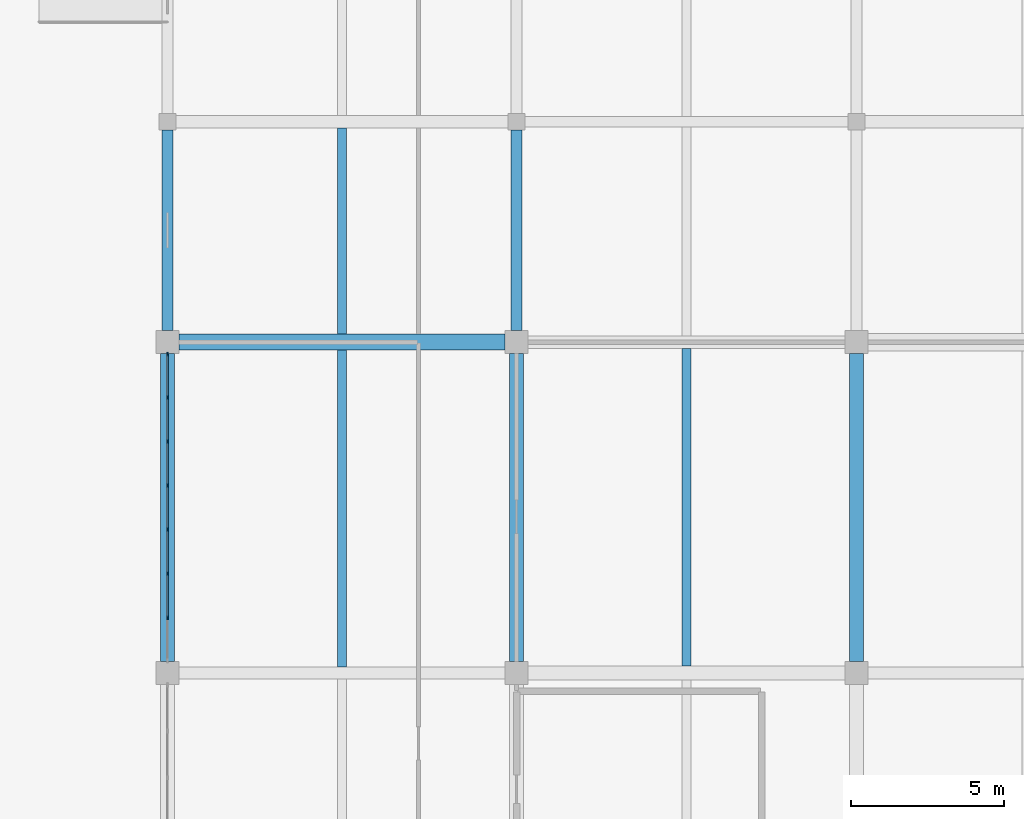
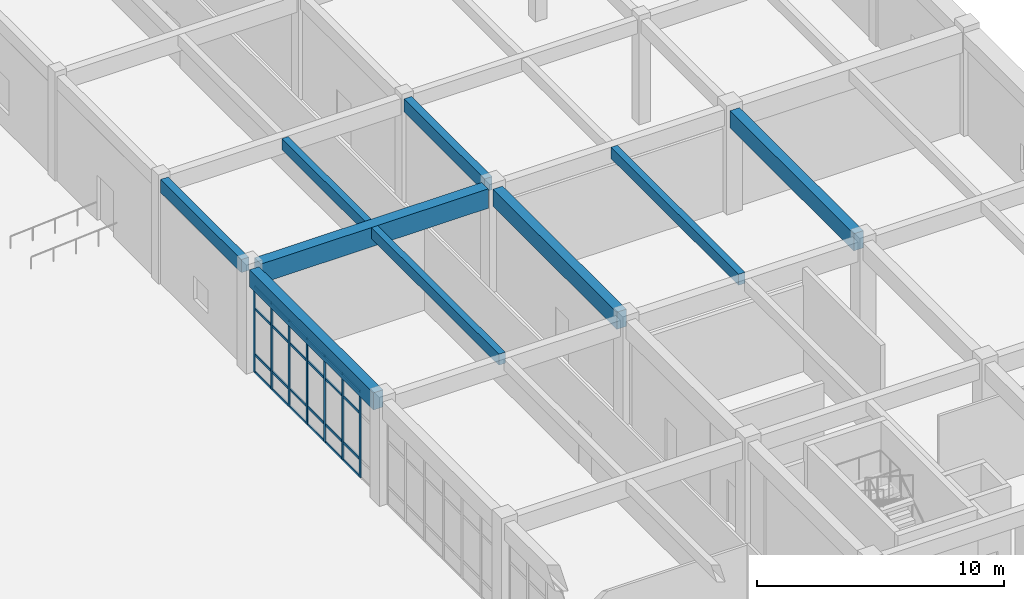
# One storey, part 32 of 70: 31 members, 9 beams, 1 element without a shape of its own.
"""IFC4 building model written with IfcOpenShell, lengths in metres."""

from ifc_helpers import new_model, si_unit, direction, frame, origin, origin_2d, place, context, subcontext, project, spatial, rectangle, extrude, material, layer, layer_set, material_profile, profile_set, type_object, element, aggregate, save


model = new_model("IFC4")

# Units and contexts
model_context = context("Model", 3, precision=1e-05, world=origin(), true_north=direction((0.0, 1.0)))
body_context = subcontext(model_context, "Body", "Model", "MODEL_VIEW")
ifc_project = project(units=[si_unit("LENGTHUNIT", "METRE"), si_unit("AREAUNIT", "SQUARE_METRE"), si_unit("VOLUMEUNIT", "CUBIC_METRE"), si_unit("PLANEANGLEUNIT", "RADIAN"), si_unit("MASSUNIT", "GRAM", prefix="KILO")], contexts=[model_context])

# Site, building, storey
site_placement = place(None, origin())
site = spatial("IfcSite", under=ifc_project, at=site_placement, CompositionType="ELEMENT")
building_placement = place(site_placement, origin())
building = spatial("IfcBuilding", under=site, at=building_placement, Name="Miralva Faculty of Natural Sciences", CompositionType="ELEMENT")
storey_placement = place(building_placement, origin())
storey = spatial("IfcBuildingStorey", under=building, at=storey_placement, Name="L00", CompositionType="ELEMENT", Elevation=0.0)

# Beams
ifc_material_1 = material(Name="Concrete C40/50", Category="concrete")
ifc_material_profile_1 = material_profile(ifc_material_1, rectangle(XDim=0.449951171875, YDim=0.85009765625, at=origin_2d()), Name="RC 450x850")
ifc_profile_set_1 = profile_set([ifc_material_profile_1], Name="Concrete C40/50")
beam_type_1 = type_object("IfcBeamType", Name="BM-B01", PredefinedType="BEAM", material=ifc_profile_set_1)
for number, where, z_axis, x_axis, name in (
    (1, (133.800048828125, 65.77490234375, 4.695068359375), (0.0, 1.0, 0.0), (-1.0, 0.0, 0.0), "Girder NS L00-181"),
    (2, (145.199951171875, 65.77490234375, 4.695068359375), (0.0, 1.0, 0.0), (-1.0, 0.0, 0.0), "Girder NS L00-193"),
    (3, (156.300048828125, 65.77490234375, 4.695068359375), (0.0, 1.0, 0.0), (-1.0, 0.0, 0.0), "Girder NS L00-205"),
):
    element("IfcBeam", number, at=place(storey_placement, frame(where, z_axis=z_axis, x_axis=x_axis)), inside=storey, type_object=beam_type_1, Name=name, PredefinedType="BEAM", context=body_context, shape_type="SweptSolid", body=[
        extrude(rectangle(XDim=0.449951171875, YDim=0.85009765625, at=origin_2d()), origin(), (0.0, 0.0, 1.0), 10.050048828125),
    ])
ifc_material_profile_2 = material_profile(ifc_material_1, rectangle(XDim=0.35009765625, YDim=0.64990234375, at=origin_2d()), Name="RC 350x650")
ifc_profile_set_2 = profile_set([ifc_material_profile_2], Name="Concrete C40/50")
beam_type_2 = type_object("IfcBeamType", Name="BM-B05", PredefinedType="BEAM", material=ifc_profile_set_2)
for number, where, z_axis, x_axis, name in (
    (4, (133.800048828125, 76.574951171875, 4.824951171875), (0.0, 1.0, 0.0), (-1.0, 0.0, 0.0), "Girder NS L00-182"),
    (5, (145.199951171875, 76.574951171875, 4.824951171875), (0.0, 1.0, 0.0), (-1.0, 0.0, 0.0), "Girder NS L00-194"),
):
    element("IfcBeam", number, at=place(storey_placement, frame(where, z_axis=z_axis, x_axis=x_axis)), inside=storey, type_object=beam_type_2, Name=name, PredefinedType="BEAM", context=body_context, shape_type="SweptSolid", body=[
        extrude(rectangle(XDim=0.35009765625, YDim=0.64990234375, at=origin_2d()), origin(), (0.0, 0.0, 1.0), 6.550048828125),
    ])
ifc_material_profile_3 = material_profile(ifc_material_1, rectangle(XDim=0.52001953125, YDim=0.9599609375, at=origin_2d()), Name="RC 520x960")
ifc_profile_set_3 = profile_set([ifc_material_profile_3], Name="Concrete C40/50")
beam_type_3 = type_object("IfcBeamType", Name="BM-BG20", PredefinedType="BEAM", material=ifc_profile_set_3)
beam_1_placement = place(storey_placement, frame((134.175048828125, 76.199951171875, 4.639892578125), z_axis=(1.0, 0.0, 0.0), x_axis=(0.0, 1.0, 0.0)))
element("IfcBeam", 6, at=beam_1_placement, inside=storey, type_object=beam_type_3, Name="Girder EW L00-63", PredefinedType="BEAM", context=body_context, shape_type="SweptSolid", body=[
    extrude(rectangle(XDim=0.52001953125, YDim=0.9599609375, at=origin_2d()), origin(), (0.0, 0.0, 1.0), 10.64990234375),
])
ifc_material_profile_4 = material_profile(ifc_material_1, rectangle(XDim=0.300048828125, YDim=0.550048828125, at=origin_2d()), Name="RC 300x550")
ifc_profile_set_4 = profile_set([ifc_material_profile_4], Name="Concrete C40/50")
beam_type_4 = type_object("IfcBeamType", Name="BM-J02", PredefinedType="JOIST", material=ifc_profile_set_4)
beam_2_placement = place(storey_placement, frame((139.5, 65.60009765625, 4.844970703125), z_axis=(0.0, 1.0, 0.0), x_axis=(-1.0, 0.0, 0.0)))
element("IfcBeam", 7, at=beam_2_placement, inside=storey, type_object=beam_type_4, Name="Floor joist L00-23", PredefinedType="JOIST", context=body_context, shape_type="SweptSolid", body=[
    extrude(rectangle(XDim=0.300048828125, YDim=0.550048828125, at=origin_2d()), origin(), (0.0, 0.0, 1.0), 10.33984375),
])
beam_3_placement = place(storey_placement, frame((150.75, 65.6298828125, 4.844970703125), z_axis=(0.0, 1.0, 0.0), x_axis=(-1.0, 0.0, 0.0)))
element("IfcBeam", 8, at=beam_3_placement, inside=storey, type_object=beam_type_4, Name="Floor joist L00-24", PredefinedType="JOIST", context=body_context, shape_type="SweptSolid", body=[
    extrude(rectangle(XDim=0.300048828125, YDim=0.550048828125, at=origin_2d()), origin(), (0.0, 0.0, 1.0), 10.3701171875),
])
beam_4_placement = place(storey_placement, frame((139.5, 76.4599609375, 4.844970703125), z_axis=(0.0, 1.0, 0.0), x_axis=(-1.0, 0.0, 0.0)))
element("IfcBeam", 9, at=beam_4_placement, inside=storey, type_object=beam_type_4, Name="Floor joist L00-28", PredefinedType="JOIST", context=body_context, shape_type="SweptSolid", body=[
    extrude(rectangle(XDim=0.300048828125, YDim=0.550048828125, at=origin_2d()), origin(), (0.0, 0.0, 1.0), 6.739990234375),
])

# Curtain wall, members
ifc_material_2 = material(Name="Laminated solar-control glass", Category="glass")
ifc_layer = layer(ifc_material_2, 0.179931640625, Name="CW-COM-L00")
ifc_layer_set = layer_set([ifc_layer], Name="Laminated solar-control glass")
curtain_wall_type = type_object("IfcCurtainWallType", Name="CW-COM-L00", PredefinedType="USERDEFINED", material=ifc_layer_set)
curtain_wall_placement = place(storey_placement, origin())
curtain_wall = element("IfcCurtainWall", 10, at=curtain_wall_placement, inside=storey, type_object=curtain_wall_type, Name="Curtain wall CW-09 L00-260", ObjectType="UNITISED CURTAIN WALL", PredefinedType="USERDEFINED")
ifc_material_3 = material(Name="Anodised aluminium", Category="aluminium")
ifc_material_profile_5 = material_profile(ifc_material_3, rectangle(XDim=0.06005859375, YDim=0.139892578125, at=origin_2d()), Name="MULLION 60x140")
ifc_profile_set_5 = profile_set([ifc_material_profile_5], Name="Anodised aluminium")
member_type_1 = type_object("IfcMemberType", Name="CW-M03", PredefinedType="MULLION", material=ifc_profile_set_5)
member_1_placement = place(storey_placement, frame((133.800048828125, 67.20361328125, 0.0), z_axis=(0.0, 0.0, 1.0), x_axis=(-1.0, 0.0, 0.0)))
member_1 = element("IfcMember", 11, at=member_1_placement, type_object=member_type_1, Name="CW-09 mullion 2", PredefinedType="MULLION", context=body_context, shape_type="SweptSolid", body=[
    extrude(rectangle(XDim=0.06005859375, YDim=0.139892578125, at=origin_2d()), origin(), (0.0, 0.0, 1.0), 4.264892578125),
])
member_2_placement = place(storey_placement, frame((133.800048828125, 68.64208984375, 0.0), z_axis=(0.0, 0.0, 1.0), x_axis=(-1.0, 0.0, 0.0)))
member_2 = element("IfcMember", 12, at=member_2_placement, type_object=member_type_1, Name="CW-09 mullion 3", PredefinedType="MULLION", context=body_context, shape_type="SweptSolid", body=[
    extrude(rectangle(XDim=0.06005859375, YDim=0.139892578125, at=origin_2d()), origin(), (0.0, 0.0, 1.0), 4.264892578125),
])
member_3_placement = place(storey_placement, frame((133.800048828125, 70.080810546875, 0.0), z_axis=(0.0, 0.0, 1.0), x_axis=(-1.0, 0.0, 0.0)))
member_3 = element("IfcMember", 13, at=member_3_placement, type_object=member_type_1, Name="CW-09 mullion 4", PredefinedType="MULLION", context=body_context, shape_type="SweptSolid", body=[
    extrude(rectangle(XDim=0.06005859375, YDim=0.139892578125, at=origin_2d()), origin(), (0.0, 0.0, 1.0), 4.264892578125),
])
member_4_placement = place(storey_placement, frame((133.800048828125, 71.519287109375, 0.0), z_axis=(0.0, 0.0, 1.0), x_axis=(-1.0, 0.0, 0.0)))
member_4 = element("IfcMember", 14, at=member_4_placement, type_object=member_type_1, Name="CW-09 mullion 5", PredefinedType="MULLION", context=body_context, shape_type="SweptSolid", body=[
    extrude(rectangle(XDim=0.06005859375, YDim=0.139892578125, at=origin_2d()), origin(), (0.0, 0.0, 1.0), 4.264892578125),
])
member_5_placement = place(storey_placement, frame((133.800048828125, 72.957763671875, 0.0), z_axis=(0.0, 0.0, 1.0), x_axis=(-1.0, 0.0, 0.0)))
member_5 = element("IfcMember", 15, at=member_5_placement, type_object=member_type_1, Name="CW-09 mullion 6", PredefinedType="MULLION", context=body_context, shape_type="SweptSolid", body=[
    extrude(rectangle(XDim=0.06005859375, YDim=0.139892578125, at=origin_2d()), origin(), (0.0, 0.0, 1.0), 4.264892578125),
])
member_6_placement = place(storey_placement, frame((133.800048828125, 74.396484375, 0.0), z_axis=(0.0, 0.0, 1.0), x_axis=(-1.0, 0.0, 0.0)))
member_6 = element("IfcMember", 16, at=member_6_placement, type_object=member_type_1, Name="CW-09 mullion 7", PredefinedType="MULLION", context=body_context, shape_type="SweptSolid", body=[
    extrude(rectangle(XDim=0.06005859375, YDim=0.139892578125, at=origin_2d()), origin(), (0.0, 0.0, 1.0), 4.264892578125),
])
member_7_placement = place(storey_placement, frame((133.800048828125, 75.804931640625, 0.0), z_axis=(0.0, 0.0, 1.0), x_axis=(-1.0, 0.0, 0.0)))
member_7 = element("IfcMember", 17, at=member_7_placement, type_object=member_type_1, Name="CW-09 mullion 8", PredefinedType="MULLION", context=body_context, shape_type="SweptSolid", body=[
    extrude(rectangle(XDim=0.06005859375, YDim=0.139892578125, at=origin_2d()), origin(), (0.0, 0.0, 1.0), 4.264892578125),
])
ifc_material_profile_6 = material_profile(ifc_material_3, rectangle(XDim=0.06005859375, YDim=0.1201171875, at=origin_2d()), Name="TRANSOM 60x120")
ifc_profile_set_6 = profile_set([ifc_material_profile_6], Name="Anodised aluminium")
member_type_2 = type_object("IfcMemberType", Name="CW-T02", PredefinedType="USERDEFINED", material=ifc_profile_set_6)
member_8_placement = place(storey_placement, frame((133.800048828125, 67.233642578125, 0.030029296875), z_axis=(0.0, 1.0, 0.0), x_axis=(-1.0, 0.0, 0.0)))
member_8 = element("IfcMember", 18, at=member_8_placement, type_object=member_type_2, Name="CW-09 transom 2.1", ObjectType="TRANSOM", PredefinedType="USERDEFINED", context=body_context, shape_type="SweptSolid", body=[
    extrude(rectangle(XDim=0.06005859375, YDim=0.1201171875, at=origin_2d()), origin(), (0.0, 0.0, 1.0), 1.37841796875),
])
member_9_placement = place(storey_placement, frame((133.800048828125, 67.233642578125, 0.89990234375), z_axis=(0.0, 1.0, 0.0), x_axis=(-1.0, 0.0, 0.0)))
member_9 = element("IfcMember", 19, at=member_9_placement, type_object=member_type_2, Name="CW-09 transom 2.2", ObjectType="TRANSOM", PredefinedType="USERDEFINED", context=body_context, shape_type="SweptSolid", body=[
    extrude(rectangle(XDim=0.06005859375, YDim=0.1201171875, at=origin_2d()), origin(), (0.0, 0.0, 1.0), 1.37841796875),
])
member_10_placement = place(storey_placement, frame((133.800048828125, 67.233642578125, 3.1650390625), z_axis=(0.0, 1.0, 0.0), x_axis=(-1.0, 0.0, 0.0)))
member_10 = element("IfcMember", 20, at=member_10_placement, type_object=member_type_2, Name="CW-09 transom 2.3", ObjectType="TRANSOM", PredefinedType="USERDEFINED", context=body_context, shape_type="SweptSolid", body=[
    extrude(rectangle(XDim=0.06005859375, YDim=0.1201171875, at=origin_2d()), origin(), (0.0, 0.0, 1.0), 1.37841796875),
])
member_11_placement = place(storey_placement, frame((133.800048828125, 67.233642578125, 4.235107421875), z_axis=(0.0, 1.0, 0.0), x_axis=(-1.0, 0.0, 0.0)))
member_11 = element("IfcMember", 21, at=member_11_placement, type_object=member_type_2, Name="CW-09 transom 2.4", ObjectType="TRANSOM", PredefinedType="USERDEFINED", context=body_context, shape_type="SweptSolid", body=[
    extrude(rectangle(XDim=0.06005859375, YDim=0.1201171875, at=origin_2d()), origin(), (0.0, 0.0, 1.0), 1.37841796875),
])
member_12_placement = place(storey_placement, frame((133.800048828125, 68.672119140625, 0.030029296875), z_axis=(0.0, 1.0, 0.0), x_axis=(-1.0, 0.0, 0.0)))
member_12 = element("IfcMember", 22, at=member_12_placement, type_object=member_type_2, Name="CW-09 transom 3.1", ObjectType="TRANSOM", PredefinedType="USERDEFINED", context=body_context, shape_type="SweptSolid", body=[
    extrude(rectangle(XDim=0.06005859375, YDim=0.1201171875, at=origin_2d()), origin(), (0.0, 0.0, 1.0), 1.378662109375),
])
member_13_placement = place(storey_placement, frame((133.800048828125, 68.672119140625, 0.89990234375), z_axis=(0.0, 1.0, 0.0), x_axis=(-1.0, 0.0, 0.0)))
member_13 = element("IfcMember", 23, at=member_13_placement, type_object=member_type_2, Name="CW-09 transom 3.2", ObjectType="TRANSOM", PredefinedType="USERDEFINED", context=body_context, shape_type="SweptSolid", body=[
    extrude(rectangle(XDim=0.06005859375, YDim=0.1201171875, at=origin_2d()), origin(), (0.0, 0.0, 1.0), 1.378662109375),
])
member_14_placement = place(storey_placement, frame((133.800048828125, 68.672119140625, 3.1650390625), z_axis=(0.0, 1.0, 0.0), x_axis=(-1.0, 0.0, 0.0)))
member_14 = element("IfcMember", 24, at=member_14_placement, type_object=member_type_2, Name="CW-09 transom 3.3", ObjectType="TRANSOM", PredefinedType="USERDEFINED", context=body_context, shape_type="SweptSolid", body=[
    extrude(rectangle(XDim=0.06005859375, YDim=0.1201171875, at=origin_2d()), origin(), (0.0, 0.0, 1.0), 1.378662109375),
])
member_15_placement = place(storey_placement, frame((133.800048828125, 68.672119140625, 4.235107421875), z_axis=(0.0, 1.0, 0.0), x_axis=(-1.0, 0.0, 0.0)))
member_15 = element("IfcMember", 25, at=member_15_placement, type_object=member_type_2, Name="CW-09 transom 3.4", ObjectType="TRANSOM", PredefinedType="USERDEFINED", context=body_context, shape_type="SweptSolid", body=[
    extrude(rectangle(XDim=0.06005859375, YDim=0.1201171875, at=origin_2d()), origin(), (0.0, 0.0, 1.0), 1.378662109375),
])
member_16_placement = place(storey_placement, frame((133.800048828125, 70.110595703125, 0.030029296875), z_axis=(0.0, 1.0, 0.0), x_axis=(-1.0, 0.0, 0.0)))
member_16 = element("IfcMember", 26, at=member_16_placement, type_object=member_type_2, Name="CW-09 transom 4.1", ObjectType="TRANSOM", PredefinedType="USERDEFINED", context=body_context, shape_type="SweptSolid", body=[
    extrude(rectangle(XDim=0.06005859375, YDim=0.1201171875, at=origin_2d()), origin(), (0.0, 0.0, 1.0), 1.378662109375),
])
member_17_placement = place(storey_placement, frame((133.800048828125, 70.110595703125, 0.89990234375), z_axis=(0.0, 1.0, 0.0), x_axis=(-1.0, 0.0, 0.0)))
member_17 = element("IfcMember", 27, at=member_17_placement, type_object=member_type_2, Name="CW-09 transom 4.2", ObjectType="TRANSOM", PredefinedType="USERDEFINED", context=body_context, shape_type="SweptSolid", body=[
    extrude(rectangle(XDim=0.06005859375, YDim=0.1201171875, at=origin_2d()), origin(), (0.0, 0.0, 1.0), 1.378662109375),
])
member_18_placement = place(storey_placement, frame((133.800048828125, 70.110595703125, 3.1650390625), z_axis=(0.0, 1.0, 0.0), x_axis=(-1.0, 0.0, 0.0)))
member_18 = element("IfcMember", 28, at=member_18_placement, type_object=member_type_2, Name="CW-09 transom 4.3", ObjectType="TRANSOM", PredefinedType="USERDEFINED", context=body_context, shape_type="SweptSolid", body=[
    extrude(rectangle(XDim=0.06005859375, YDim=0.1201171875, at=origin_2d()), origin(), (0.0, 0.0, 1.0), 1.378662109375),
])
member_19_placement = place(storey_placement, frame((133.800048828125, 70.110595703125, 4.235107421875), z_axis=(0.0, 1.0, 0.0), x_axis=(-1.0, 0.0, 0.0)))
member_19 = element("IfcMember", 29, at=member_19_placement, type_object=member_type_2, Name="CW-09 transom 4.4", ObjectType="TRANSOM", PredefinedType="USERDEFINED", context=body_context, shape_type="SweptSolid", body=[
    extrude(rectangle(XDim=0.06005859375, YDim=0.1201171875, at=origin_2d()), origin(), (0.0, 0.0, 1.0), 1.378662109375),
])
member_20_placement = place(storey_placement, frame((133.800048828125, 71.54931640625, 0.030029296875), z_axis=(0.0, 1.0, 0.0), x_axis=(-1.0, 0.0, 0.0)))
member_20 = element("IfcMember", 30, at=member_20_placement, type_object=member_type_2, Name="CW-09 transom 5.1", ObjectType="TRANSOM", PredefinedType="USERDEFINED", context=body_context, shape_type="SweptSolid", body=[
    extrude(rectangle(XDim=0.06005859375, YDim=0.1201171875, at=origin_2d()), origin(), (0.0, 0.0, 1.0), 1.378662109375),
])
member_21_placement = place(storey_placement, frame((133.800048828125, 71.54931640625, 0.89990234375), z_axis=(0.0, 1.0, 0.0), x_axis=(-1.0, 0.0, 0.0)))
member_21 = element("IfcMember", 31, at=member_21_placement, type_object=member_type_2, Name="CW-09 transom 5.2", ObjectType="TRANSOM", PredefinedType="USERDEFINED", context=body_context, shape_type="SweptSolid", body=[
    extrude(rectangle(XDim=0.06005859375, YDim=0.1201171875, at=origin_2d()), origin(), (0.0, 0.0, 1.0), 1.378662109375),
])
member_22_placement = place(storey_placement, frame((133.800048828125, 71.54931640625, 3.1650390625), z_axis=(0.0, 1.0, 0.0), x_axis=(-1.0, 0.0, 0.0)))
member_22 = element("IfcMember", 32, at=member_22_placement, type_object=member_type_2, Name="CW-09 transom 5.3", ObjectType="TRANSOM", PredefinedType="USERDEFINED", context=body_context, shape_type="SweptSolid", body=[
    extrude(rectangle(XDim=0.06005859375, YDim=0.1201171875, at=origin_2d()), origin(), (0.0, 0.0, 1.0), 1.378662109375),
])
member_23_placement = place(storey_placement, frame((133.800048828125, 71.54931640625, 4.235107421875), z_axis=(0.0, 1.0, 0.0), x_axis=(-1.0, 0.0, 0.0)))
member_23 = element("IfcMember", 33, at=member_23_placement, type_object=member_type_2, Name="CW-09 transom 5.4", ObjectType="TRANSOM", PredefinedType="USERDEFINED", context=body_context, shape_type="SweptSolid", body=[
    extrude(rectangle(XDim=0.06005859375, YDim=0.1201171875, at=origin_2d()), origin(), (0.0, 0.0, 1.0), 1.378662109375),
])
member_24_placement = place(storey_placement, frame((133.800048828125, 72.98779296875, 0.030029296875), z_axis=(0.0, 1.0, 0.0), x_axis=(-1.0, 0.0, 0.0)))
member_24 = element("IfcMember", 34, at=member_24_placement, type_object=member_type_2, Name="CW-09 transom 6.1", ObjectType="TRANSOM", PredefinedType="USERDEFINED", context=body_context, shape_type="SweptSolid", body=[
    extrude(rectangle(XDim=0.06005859375, YDim=0.1201171875, at=origin_2d()), origin(), (0.0, 0.0, 1.0), 1.378662109375),
])
member_25_placement = place(storey_placement, frame((133.800048828125, 72.98779296875, 0.89990234375), z_axis=(0.0, 1.0, 0.0), x_axis=(-1.0, 0.0, 0.0)))
member_25 = element("IfcMember", 35, at=member_25_placement, type_object=member_type_2, Name="CW-09 transom 6.2", ObjectType="TRANSOM", PredefinedType="USERDEFINED", context=body_context, shape_type="SweptSolid", body=[
    extrude(rectangle(XDim=0.06005859375, YDim=0.1201171875, at=origin_2d()), origin(), (0.0, 0.0, 1.0), 1.378662109375),
])
member_26_placement = place(storey_placement, frame((133.800048828125, 72.98779296875, 3.1650390625), z_axis=(0.0, 1.0, 0.0), x_axis=(-1.0, 0.0, 0.0)))
member_26 = element("IfcMember", 36, at=member_26_placement, type_object=member_type_2, Name="CW-09 transom 6.3", ObjectType="TRANSOM", PredefinedType="USERDEFINED", context=body_context, shape_type="SweptSolid", body=[
    extrude(rectangle(XDim=0.06005859375, YDim=0.1201171875, at=origin_2d()), origin(), (0.0, 0.0, 1.0), 1.378662109375),
])
member_27_placement = place(storey_placement, frame((133.800048828125, 72.98779296875, 4.235107421875), z_axis=(0.0, 1.0, 0.0), x_axis=(-1.0, 0.0, 0.0)))
member_27 = element("IfcMember", 37, at=member_27_placement, type_object=member_type_2, Name="CW-09 transom 6.4", ObjectType="TRANSOM", PredefinedType="USERDEFINED", context=body_context, shape_type="SweptSolid", body=[
    extrude(rectangle(XDim=0.06005859375, YDim=0.1201171875, at=origin_2d()), origin(), (0.0, 0.0, 1.0), 1.378662109375),
])
member_28_placement = place(storey_placement, frame((133.800048828125, 74.426513671875, 0.030029296875), z_axis=(0.0, 1.0, 0.0), x_axis=(-1.0, 0.0, 0.0)))
member_28 = element("IfcMember", 38, at=member_28_placement, type_object=member_type_2, Name="CW-09 transom 7.1", ObjectType="TRANSOM", PredefinedType="USERDEFINED", context=body_context, shape_type="SweptSolid", body=[
    extrude(rectangle(XDim=0.06005859375, YDim=0.1201171875, at=origin_2d()), origin(), (0.0, 0.0, 1.0), 1.348388671875),
])
member_29_placement = place(storey_placement, frame((133.800048828125, 74.426513671875, 0.89990234375), z_axis=(0.0, 1.0, 0.0), x_axis=(-1.0, 0.0, 0.0)))
member_29 = element("IfcMember", 39, at=member_29_placement, type_object=member_type_2, Name="CW-09 transom 7.2", ObjectType="TRANSOM", PredefinedType="USERDEFINED", context=body_context, shape_type="SweptSolid", body=[
    extrude(rectangle(XDim=0.06005859375, YDim=0.1201171875, at=origin_2d()), origin(), (0.0, 0.0, 1.0), 1.348388671875),
])
member_30_placement = place(storey_placement, frame((133.800048828125, 74.426513671875, 3.1650390625), z_axis=(0.0, 1.0, 0.0), x_axis=(-1.0, 0.0, 0.0)))
member_30 = element("IfcMember", 40, at=member_30_placement, type_object=member_type_2, Name="CW-09 transom 7.3", ObjectType="TRANSOM", PredefinedType="USERDEFINED", context=body_context, shape_type="SweptSolid", body=[
    extrude(rectangle(XDim=0.06005859375, YDim=0.1201171875, at=origin_2d()), origin(), (0.0, 0.0, 1.0), 1.348388671875),
])
member_31_placement = place(storey_placement, frame((133.800048828125, 74.426513671875, 4.235107421875), z_axis=(0.0, 1.0, 0.0), x_axis=(-1.0, 0.0, 0.0)))
member_31 = element("IfcMember", 41, at=member_31_placement, type_object=member_type_2, Name="CW-09 transom 7.4", ObjectType="TRANSOM", PredefinedType="USERDEFINED", context=body_context, shape_type="SweptSolid", body=[
    extrude(rectangle(XDim=0.06005859375, YDim=0.1201171875, at=origin_2d()), origin(), (0.0, 0.0, 1.0), 1.348388671875),
])
aggregate(curtain_wall, [member_1, member_2, member_3, member_4, member_5, member_6, member_7, member_8, member_9, member_10, member_11, member_12, member_13, member_14, member_15, member_16, member_17, member_18, member_19, member_20, member_21, member_22, member_23, member_24, member_25, member_26, member_27, member_28, member_29, member_30, member_31])

save(model, "model.ifc")
